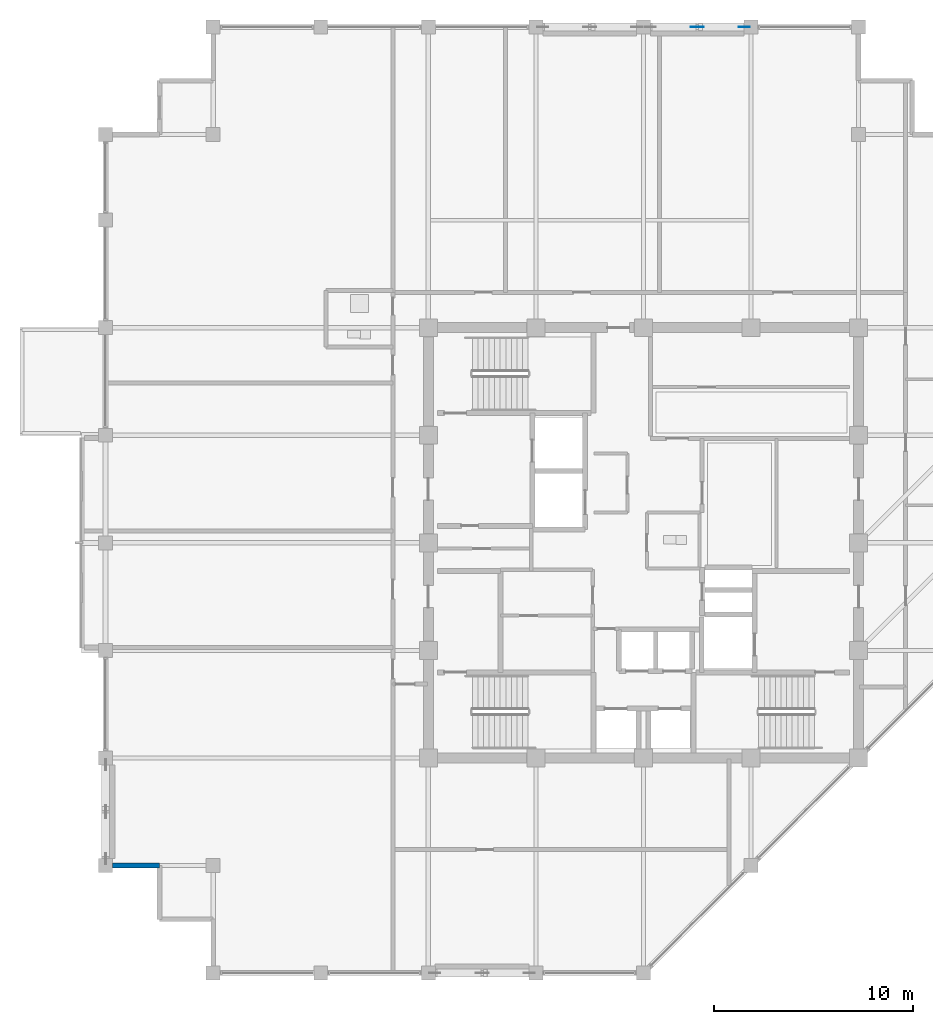
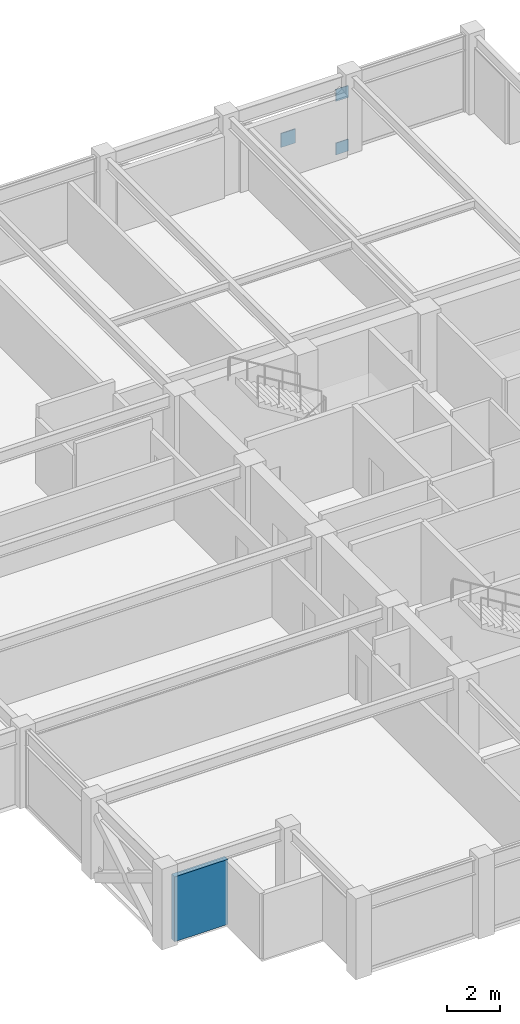
# One storey, part 24 of 31: 3 plates, 1 wall.
"""IFC4 building model written with IfcOpenShell, lengths in metres."""

from ifc_helpers import new_model, si_unit, direction, frame, frame_2d, origin, origin_2d, place, context, subcontext, project, spatial, rectangle, extrude, material, layer, layer_set, type_object, element, save


model = new_model("IFC4")

# Units and contexts
model_context = context("Model", 3, precision=1e-05, world=origin(), true_north=direction((0.0, 1.0)))
body_context = subcontext(model_context, "Body", "Model", "MODEL_VIEW")
ifc_project = project(units=[si_unit("LENGTHUNIT", "METRE"), si_unit("AREAUNIT", "SQUARE_METRE"), si_unit("VOLUMEUNIT", "CUBIC_METRE"), si_unit("PLANEANGLEUNIT", "RADIAN"), si_unit("MASSUNIT", "GRAM", prefix="KILO")], contexts=[model_context])

# Site, building, storey
site_placement = place(None, origin())
site = spatial("IfcSite", under=ifc_project, at=site_placement, CompositionType="ELEMENT")
building_placement = place(site_placement, origin())
building = spatial("IfcBuilding", under=site, at=building_placement, Name="Surkhivell Harbour Commons", CompositionType="ELEMENT")
storey_placement = place(building_placement, frame((0.0, 0.0, 270.0)))
storey = spatial("IfcBuildingStorey", under=building, at=storey_placement, Name="L70", CompositionType="ELEMENT", Elevation=270.0)

# Plates
ifc_material_1 = material(Name="Steel S460", Category="steel")
ifc_layer_1 = layer(ifc_material_1, 0.035888671875)
ifc_layer_set_1 = layer_set([ifc_layer_1], Name="Steel S460")
plate_type_1 = type_object("IfcPlateType", Name="PLT-GUS-550", PredefinedType="USERDEFINED", material=ifc_layer_set_1)
for number, where, z_axis, x_axis, name in (
    (1, (5.06494140625, 25.89990234375, -0.07470703125), (0.0, 0.0, 1.0), (1.0, 0.0, 0.0), "L70 Perimeter Mega-Brace MB- Corner Gusset N2-2"),
    (2, (5.06494140625, 25.89990234375, 2.41357421875), (0.0, 0.0, 1.0), (1.0, 0.0, 0.0), "L70 Perimeter Mega-Brace MB- Corner Gusset N2-4"),
):
    element("IfcPlate", number, at=place(storey_placement, frame(where, z_axis=z_axis, x_axis=x_axis)), inside=storey, type_object=plate_type_1, Name=name, ObjectType="GUSSET_PLATE", PredefinedType="USERDEFINED", context=body_context, shape_type="SweptSolid", body=[
        extrude(rectangle(XDim=0.550048828125, YDim=0.035888671875, at=origin_2d()), origin(), (0.0, 0.0, 1.0), 0.550048828125),
    ])
ifc_layer_2 = layer(ifc_material_1, 0.044921875)
ifc_layer_set_2 = layer_set([ifc_layer_2], Name="Steel S460")
plate_type_2 = type_object("IfcPlateType", Name="PLT-GUS-650", PredefinedType="USERDEFINED", material=ifc_layer_set_2)
plate_placement = place(storey_placement, frame((2.699951171875, 25.89990234375, 1.11962890625), z_axis=(0.0, 0.0, 1.0), x_axis=(1.0, 0.0, 0.0)))
element("IfcPlate", 3, at=plate_placement, inside=storey, type_object=plate_type_2, Name="L70 Perimeter Mega-Brace MB- Central Crossing Gusset N2", ObjectType="GUSSET_PLATE", PredefinedType="USERDEFINED", context=body_context, shape_type="SweptSolid", body=[
    extrude(rectangle(XDim=0.64990234375, YDim=0.044921875, at=origin_2d()), origin(), (0.0, 0.0, 1.0), 0.64990234375),
])

# Wall
ifc_material_2 = material(Name="Bronze-ochre cassette precast concrete C45/55", Category="concrete")
ifc_layer_3 = layer(ifc_material_2, 0.239990234375)
ifc_layer_set_3 = layer_set([ifc_layer_3], Name="Bronze-ochre cassette precast concrete C45/55")
wall_type = type_object("IfcWallType", Name="WAL-EXT-OCH240", PredefinedType="STANDARD", material=ifc_layer_set_3)
wall_placement = place(storey_placement, frame((-26.652099609375, -16.199951171875, 0.0), z_axis=(0.0, 0.0, 1.0), x_axis=(1.0, 0.0, 0.0)))
element("IfcWall", 4, at=wall_placement, inside=storey, type_object=wall_type, Name="L70 Serrated Corner Facade Wall 13", PredefinedType="STANDARD", context=body_context, shape_type="SweptSolid", body=[
    extrude(rectangle(XDim=2.35205078125, YDim=0.239990234375, at=frame_2d((1.176025390625, 0.0))), origin(), (0.0, 0.0, 1.0), 3.012939453125),
])

save(model, "model.ifc")
